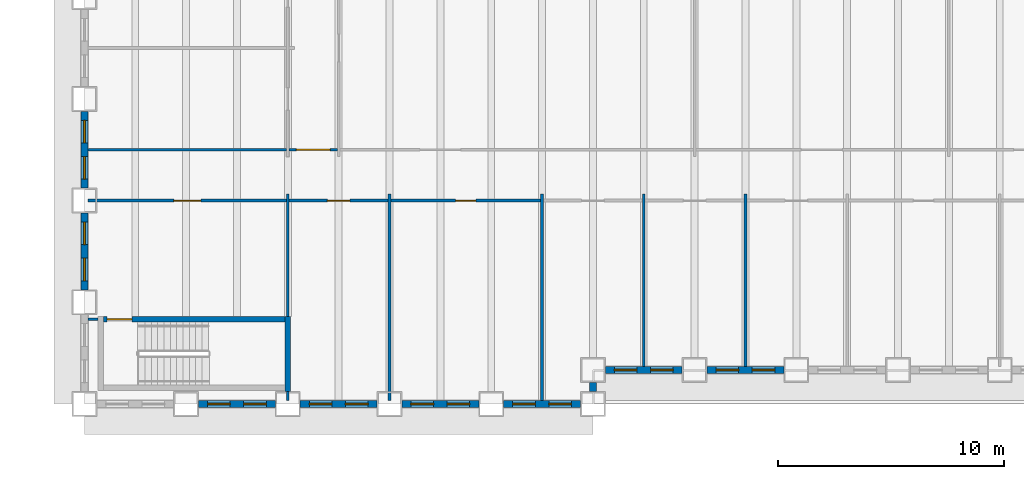
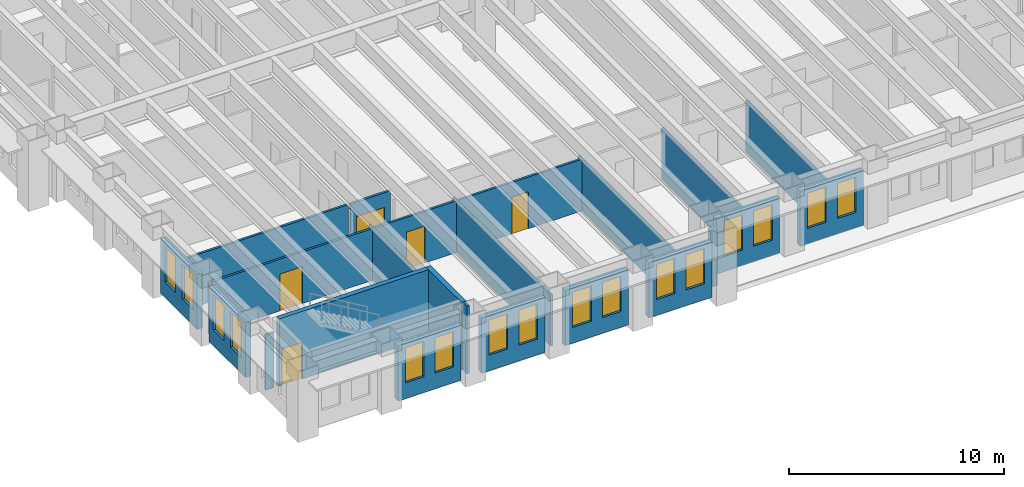
# One storey, part 3 of 18: 23 walls, 16 windows, 5 doors, 21 openings.
"""IFC4 building model written with IfcOpenShell, lengths in metres."""

from ifc_helpers import new_model, si_unit, direction, frame, frame_2d, origin, place, context, subcontext, project, spatial, rectangle, extrude, material, layer, layer_set, type_object, element, fill, save


model = new_model("IFC4")

# Units and contexts
model_context = context("Model", 3, precision=1e-05, world=origin(), true_north=direction((0.0, 1.0)))
body_context = subcontext(model_context, "Body", "Model", "MODEL_VIEW")
ifc_project = project(units=[si_unit("LENGTHUNIT", "METRE"), si_unit("AREAUNIT", "SQUARE_METRE"), si_unit("VOLUMEUNIT", "CUBIC_METRE"), si_unit("PLANEANGLEUNIT", "RADIAN"), si_unit("MASSUNIT", "GRAM", prefix="KILO")], contexts=[model_context])

# Site, building, storey
site_placement = place(None, origin())
site = spatial("IfcSite", under=ifc_project, at=site_placement, CompositionType="ELEMENT")
building_placement = place(site_placement, origin())
building = spatial("IfcBuilding", under=site, at=building_placement, Name="Sennacour Bend Tower", CompositionType="ELEMENT")
storey_placement = place(building_placement, frame((0.0, 0.0, 29.0)))
storey = spatial("IfcBuildingStorey", under=building, at=storey_placement, Name="L05", CompositionType="ELEMENT", Elevation=29.0)

# Walls
ifc_material_1 = material(Name="Plasterboard partition on steel studs", Category="steel")
ifc_layer_1 = layer(ifc_material_1, 0.1201171875, Name="Plasterboard partition on steel studs", Category="steel")
ifc_layer_set_1 = layer_set([ifc_layer_1], Name="Plasterboard partition on steel studs")
wall_type_1 = type_object("IfcWallType", Name="Partition 120", PredefinedType="PARTITIONING", material=ifc_layer_set_1)
wall_1_placement = place(storey_placement, frame((9.0, 0.14990234375, 0.0), z_axis=(0.0, 0.0, 1.0), x_axis=(0.0, 1.0, 0.0)))
element("IfcWall", 1, at=wall_1_placement, inside=storey, type_object=wall_type_1, Name="P-L05-W010a", PredefinedType="PARTITIONING", context=body_context, shape_type="SweptSolid", body=[
    extrude(rectangle(XDim=0.400146484375, YDim=0.1201171875, at=frame_2d((0.2001953125, 0.0))), origin(), (0.0, 0.0, 1.0), 3.85009765625),
])
wall_2_placement = place(storey_placement, frame((9.0, 3.875, 0.0), z_axis=(0.0, 0.0, 1.0), x_axis=(0.0, 1.0, 0.0)))
element("IfcWall", 2, at=wall_2_placement, inside=storey, type_object=wall_type_1, Name="P-L05-W012a", PredefinedType="PARTITIONING", context=body_context, shape_type="SweptSolid", body=[
    extrude(rectangle(XDim=5.425048828125, YDim=0.1201171875, at=frame_2d((2.71240234375, 0.0))), origin(), (0.0, 0.0, 1.0), 2.93798828125),
])
for number, where, z_axis, x_axis, name in (
    (3, (13.5, 0.14990234375, 0.0), (0.0, 0.0, 1.0), (0.0, 1.0, 0.0), "P-L05-W017a"),
    (4, (20.25, 0.14990234375, 0.0), (0.0, 0.0, 1.0), (0.0, 1.0, 0.0), "P-L05-W025a"),
):
    element("IfcWall", number, at=place(storey_placement, frame(where, z_axis=z_axis, x_axis=x_axis)), inside=storey, type_object=wall_type_1, Name=name, PredefinedType="PARTITIONING", context=body_context, shape_type="SweptSolid", body=[
        extrude(rectangle(XDim=9.150146484375, YDim=0.1201171875, at=frame_2d((4.5751953125, 0.0))), origin(), (0.0, 0.0, 1.0), 2.93798828125),
    ])
for number, where, z_axis, x_axis, name in (
    (5, (24.75, 1.64990234375, 0.0), (0.0, 0.0, 1.0), (0.0, 1.0, 0.0), "P-L05-W027a"),
    (6, (29.25, 1.64990234375, 0.0), (0.0, 0.0, 1.0), (0.0, 1.0, 0.0), "P-L05-W029a"),
):
    element("IfcWall", number, at=place(storey_placement, frame(where, z_axis=z_axis, x_axis=x_axis)), inside=storey, type_object=wall_type_1, Name=name, PredefinedType="PARTITIONING", context=body_context, shape_type="SweptSolid", body=[
        extrude(rectangle(XDim=7.650146484375, YDim=0.1201171875, at=frame_2d((3.8251953125, 0.0))), origin(), (0.0, 0.0, 1.0), 2.93798828125),
    ])
wall_3_placement = place(storey_placement, frame((0.14990234375, 3.75, 0.0), z_axis=(0.0, 0.0, 1.0), x_axis=(1.0, 0.0, 0.0)))
element("IfcWall", 7, at=wall_3_placement, inside=storey, type_object=wall_type_1, Name="P-L05-W054a", PredefinedType="PARTITIONING", context=body_context, shape_type="SweptSolid", body=[
    extrude(rectangle(XDim=0.4501953125, YDim=0.1201171875, at=frame_2d((0.22509765625, 0.0))), origin(), (0.0, 0.0, 1.0), 3.14404296875),
])

# Wall, opening, door
wall_4_placement = place(storey_placement, frame((9.06005859375, 9.0, 0.0), z_axis=(0.0, 0.0, 1.0), x_axis=(1.0, 0.0, 0.0)))
wall_4 = element("IfcWall", 8, at=wall_4_placement, inside=storey, type_object=wall_type_1, Name="P-L05-W061ab", PredefinedType="PARTITIONING", context=body_context, shape_type="SweptSolid", body=[
    extrude(rectangle(XDim=4.3798828125, YDim=0.1201171875, at=frame_2d((2.18994140625, 0.0))), origin(), (0.0, 0.0, 1.0), 2.93798828125),
])
opening_1_placement = place(wall_4_placement, frame((1.68994140625, 0.0, 0.0)))
opening_1 = element("IfcOpeningElement", 9, at=opening_1_placement, cuts=wall_4, Name="Opening OD2", PredefinedType="OPENING", context=body_context, shape_type="SweptSolid", body=[
    extrude(rectangle(XDim=1.0, YDim=2.10009765625, at=frame_2d((0.5, 1.050048828125))), frame((0.0, 0.070068359375, 0.0), z_axis=(0.0, -1.0, 0.0), x_axis=(1.0, 0.0, 0.0)), (0.0, 0.0, 1.0), 0.14013671875),
])
ifc_material_2 = material(Name="Timber", Category="wood")
door_type_1 = type_object("IfcDoorType", Name="DR-OFFICE-1000", OperationType="NOTDEFINED", PredefinedType="DOOR", material=ifc_material_2)
door_1_placement = place(opening_1_placement, origin())
door_1 = element("IfcDoor", 10, at=door_1_placement, inside=storey, type_object=door_type_1, Name="Door", OperationType="SINGLE_SWING_LEFT", OverallHeight=2.10009765625, OverallWidth=1.0, PredefinedType="DOOR", context=body_context, shape_type="SweptSolid", body=[
    extrude(rectangle(XDim=1.0, YDim=2.10009765625, at=frame_2d((0.5, 1.050048828125))), frame((0.0, 0.02490234375, 0.0), z_axis=(0.0, -1.0, 0.0), x_axis=(1.0, 0.0, 0.0)), (0.0, 0.0, 1.0), 0.050048828125),
])
fill(opening_1, door_1)

# Wall
wall_5_placement = place(storey_placement, frame((0.14990234375, 11.25, 0.0), z_axis=(0.0, 0.0, 1.0), x_axis=(1.0, 0.0, 0.0)))
element("IfcWall", 11, at=wall_5_placement, inside=storey, type_object=wall_type_1, Name="P-L05-W063aa", PredefinedType="PARTITIONING", context=body_context, shape_type="SweptSolid", body=[
    extrude(rectangle(XDim=8.7900390625, YDim=0.1201171875, at=frame_2d((4.39501953125, 0.0))), origin(), (0.0, 0.0, 1.0), 2.93798828125),
])

# Wall, opening, door
ifc_layer_2 = layer(ifc_material_1, 0.1201171875, Name="Plasterboard partition on steel studs", Category="steel")
ifc_layer_set_2 = layer_set([ifc_layer_2], Name="Plasterboard partition on steel studs")
wall_type_2 = type_object("IfcWallType", Name="Partition 120 EI 30", PredefinedType="PARTITIONING", material=ifc_layer_set_2)
wall_6_placement = place(storey_placement, frame((0.14990234375, 9.0, 0.0), z_axis=(0.0, 0.0, 1.0), x_axis=(1.0, 0.0, 0.0)))
wall_6 = element("IfcWall", 12, at=wall_6_placement, inside=storey, type_object=wall_type_2, Name="P-L05-W061aa", PredefinedType="PARTITIONING", context=body_context, shape_type="SweptSolid", body=[
    extrude(rectangle(XDim=8.7900390625, YDim=0.1201171875, at=frame_2d((4.39501953125, 0.0))), origin(), (0.0, 0.0, 1.0), 2.93798828125),
])
opening_2_placement = place(wall_6_placement, frame((3.80517578125, 0.0, 0.0)))
opening_2 = element("IfcOpeningElement", 13, at=opening_2_placement, cuts=wall_6, Name="Opening KD2", PredefinedType="OPENING", context=body_context, shape_type="SweptSolid", body=[
    extrude(rectangle(XDim=1.199951171875, YDim=2.10009765625, at=frame_2d((0.60009765625, 1.050048828125))), frame((0.0, 0.070068359375, 0.0), z_axis=(0.0, -1.0, 0.0), x_axis=(1.0, 0.0, 0.0)), (0.0, 0.0, 1.0), 0.14013671875),
])
ifc_material_3 = material(Name="Painted steel", Category="steel")
door_type_2 = type_object("IfcDoorType", Name="DR-CORRIDOR-1200", OperationType="NOTDEFINED", PredefinedType="DOOR", material=ifc_material_3)
door_2_placement = place(opening_2_placement, origin())
door_2 = element("IfcDoor", 14, at=door_2_placement, inside=storey, type_object=door_type_2, Name="Door", OperationType="SINGLE_SWING_LEFT", OverallHeight=2.10009765625, OverallWidth=1.199951171875, PredefinedType="DOOR", context=body_context, shape_type="SweptSolid", body=[
    extrude(rectangle(XDim=1.199951171875, YDim=2.10009765625, at=frame_2d((0.60009765625, 1.050048828125))), frame((0.0, 0.02490234375, 0.0), z_axis=(0.0, -1.0, 0.0), x_axis=(1.0, 0.0, 0.0)), (0.0, 0.0, 1.0), 0.050048828125),
])
fill(opening_2, door_2)

wall_7_placement = place(storey_placement, frame((9.06005859375, 11.25, 0.0), z_axis=(0.0, 0.0, 1.0), x_axis=(1.0, 0.0, 0.0)))
wall_7 = element("IfcWall", 15, at=wall_7_placement, inside=storey, type_object=wall_type_2, Name="P-L05-W063ab", PredefinedType="PARTITIONING", context=body_context, shape_type="SweptSolid", body=[
    extrude(rectangle(XDim=2.1298828125, YDim=0.1201171875, at=frame_2d((1.06494140625, 0.0))), origin(), (0.0, 0.0, 1.0), 2.93798828125),
])
opening_3_placement = place(wall_7_placement, frame((0.31494140625, 0.0, 0.0)))
opening_3 = element("IfcOpeningElement", 16, at=opening_3_placement, cuts=wall_7, Name="Opening KD", PredefinedType="OPENING", context=body_context, shape_type="SweptSolid", body=[
    extrude(rectangle(XDim=1.5, YDim=2.10009765625, at=frame_2d((0.75, 1.050048828125))), frame((0.0, 0.070068359375, 0.0), z_axis=(0.0, -1.0, 0.0), x_axis=(1.0, 0.0, 0.0)), (0.0, 0.0, 1.0), 0.14013671875),
])
door_type_3 = type_object("IfcDoorType", Name="DR-CORRIDOR-1500", OperationType="NOTDEFINED", PredefinedType="DOOR", material=ifc_material_3)
door_3_placement = place(opening_3_placement, origin())
door_3 = element("IfcDoor", 17, at=door_3_placement, inside=storey, type_object=door_type_3, Name="Door", OperationType="SINGLE_SWING_LEFT", OverallHeight=2.10009765625, OverallWidth=1.5, PredefinedType="DOOR", context=body_context, shape_type="SweptSolid", body=[
    extrude(rectangle(XDim=1.5, YDim=2.10009765625, at=frame_2d((0.75, 1.050048828125))), frame((0.0, 0.02490234375, 0.0), z_axis=(0.0, -1.0, 0.0), x_axis=(1.0, 0.0, 0.0)), (0.0, 0.0, 1.0), 0.050048828125),
])
fill(opening_3, door_3)

ifc_layer_3 = layer(ifc_material_1, 0.1201171875, Name="Plasterboard partition on steel studs", Category="steel")
ifc_layer_set_3 = layer_set([ifc_layer_3], Name="Plasterboard partition on steel studs")
wall_type_3 = type_object("IfcWallType", Name="Partition 120 EI 60", PredefinedType="PARTITIONING", material=ifc_layer_set_3)
wall_8_placement = place(storey_placement, frame((13.56005859375, 9.0, 0.0), z_axis=(0.0, 0.0, 1.0), x_axis=(1.0, 0.0, 0.0)))
wall_8 = element("IfcWall", 18, at=wall_8_placement, inside=storey, type_object=wall_type_3, Name="P-L05-W061ac", PredefinedType="PARTITIONING", context=body_context, shape_type="SweptSolid", body=[
    extrude(rectangle(XDim=6.6298828125, YDim=0.1201171875, at=frame_2d((3.31494140625, 0.0))), origin(), (0.0, 0.0, 1.0), 2.93798828125),
])
opening_4_placement = place(wall_8_placement, frame((2.864990234375, 0.0, 0.0)))
opening_4 = element("IfcOpeningElement", 19, at=opening_4_placement, cuts=wall_8, Name="Opening SV", PredefinedType="OPENING", context=body_context, shape_type="SweptSolid", body=[
    extrude(rectangle(XDim=0.89990234375, YDim=2.10009765625, at=frame_2d((0.449951171875, 1.050048828125))), frame((0.0, 0.070068359375, 0.0), z_axis=(0.0, -1.0, 0.0), x_axis=(1.0, 0.0, 0.0)), (0.0, 0.0, 1.0), 0.14013671875),
])
door_type_4 = type_object("IfcDoorType", Name="DR-SERVICE-900", OperationType="NOTDEFINED", PredefinedType="DOOR", material=ifc_material_3)
door_4_placement = place(opening_4_placement, origin())
door_4 = element("IfcDoor", 20, at=door_4_placement, inside=storey, type_object=door_type_4, Name="Door", OperationType="SINGLE_SWING_LEFT", OverallHeight=2.10009765625, OverallWidth=0.89990234375, PredefinedType="DOOR", context=body_context, shape_type="SweptSolid", body=[
    extrude(rectangle(XDim=0.89990234375, YDim=2.10009765625, at=frame_2d((0.449951171875, 1.050048828125))), frame((0.0, 0.02490234375, 0.0), z_axis=(0.0, -1.0, 0.0), x_axis=(1.0, 0.0, 0.0)), (0.0, 0.0, 1.0), 0.050048828125),
])
fill(opening_4, door_4)

# Wall, openings, windows
ifc_material_4 = material(Name="Warm limestone cladding", Category="masonry")
ifc_layer_4 = layer(ifc_material_4, 0.050048828125, Name="Warm limestone cladding", Category="masonry")
ifc_material_5 = material(Name="Precast concrete C40/50", Category="concrete")
ifc_layer_5 = layer(ifc_material_5, 0.25, Name="Precast concrete C40/50", Category="concrete")
ifc_layer_set_4 = layer_set([ifc_layer_4, ifc_layer_5], Name="Precast concrete C40/50 with limestone cladding")
wall_type_4 = type_object("IfcWallType", Name="STONE-CLAD PRECAST SPANDREL 300", PredefinedType="STANDARD", material=ifc_layer_set_4)
wall_9_placement = place(storey_placement, frame((5.050048828125, 0.0, 0.0), z_axis=(0.0, 0.0, 1.0), x_axis=(1.0, 0.0, 0.0)))
wall_9 = element("IfcWall", 21, at=wall_9_placement, inside=storey, type_object=wall_type_4, Name="Stone spandrel and pier wall L05 00.01", PredefinedType="STANDARD", context=body_context, shape_type="SweptSolid", body=[
    extrude(rectangle(XDim=3.39990234375, YDim=0.300048828125, at=frame_2d((1.699951171875, 0.0))), origin(), (0.0, 0.0, 1.0), 3.14404296875),
])
opening_5_placement = place(wall_9_placement, frame((0.39990234375, 0.0, 0.89990234375)))
opening_5 = element("IfcOpeningElement", 22, at=opening_5_placement, cuts=wall_9, Name="Opening W8", PredefinedType="OPENING", context=body_context, shape_type="SweptSolid", body=[
    extrude(rectangle(XDim=1.0, YDim=2.0, at=frame_2d((0.5, 1.0))), frame((0.0, 0.16015625, 0.0), z_axis=(0.0, -1.0, 0.0), x_axis=(1.0, 0.0, 0.0)), (0.0, 0.0, 1.0), 0.320068359375),
])
opening_6_placement = place(wall_9_placement, frame((2.0, 0.0, 0.89990234375)))
opening_6 = element("IfcOpeningElement", 23, at=opening_6_placement, cuts=wall_9, Name="Opening W8", PredefinedType="OPENING", context=body_context, shape_type="SweptSolid", body=[
    extrude(rectangle(XDim=1.0, YDim=2.0, at=frame_2d((0.5, 1.0))), frame((0.0, 0.16015625, 0.0), z_axis=(0.0, -1.0, 0.0), x_axis=(1.0, 0.0, 0.0)), (0.0, 0.0, 1.0), 0.320068359375),
])
ifc_material_6 = material(Name="Clear low-emissivity glass", Category="glass")
window_type = type_object("IfcWindowType", Name="WIN-RIBBON-1000x2000", PartitioningType="SINGLE_PANEL", PredefinedType="WINDOW", material=ifc_material_6)
window_1_placement = place(opening_5_placement, origin())
window_1 = element("IfcWindow", 24, at=window_1_placement, inside=storey, type_object=window_type, Name="Ribbon window L05 00.01.0", OverallHeight=2.0, OverallWidth=1.0, PartitioningType="SINGLE_PANEL", PredefinedType="WINDOW", context=body_context, shape_type="SweptSolid", body=[
    extrude(rectangle(XDim=1.0, YDim=2.0, at=frame_2d((0.5, 1.0))), frame((0.0, 0.030029296875, 0.0), z_axis=(0.0, -1.0, 0.0), x_axis=(1.0, 0.0, 0.0)), (0.0, 0.0, 1.0), 0.06005859375),
])
fill(opening_5, window_1)
window_2_placement = place(opening_6_placement, origin())
window_2 = element("IfcWindow", 25, at=window_2_placement, inside=storey, type_object=window_type, Name="Ribbon window L05 00.01.1", OverallHeight=2.0, OverallWidth=1.0, PartitioningType="SINGLE_PANEL", PredefinedType="WINDOW", context=body_context, shape_type="SweptSolid", body=[
    extrude(rectangle(XDim=1.0, YDim=2.0, at=frame_2d((0.5, 1.0))), frame((0.0, 0.030029296875, 0.0), z_axis=(0.0, -1.0, 0.0), x_axis=(1.0, 0.0, 0.0)), (0.0, 0.0, 1.0), 0.06005859375),
])
fill(opening_6, window_2)

wall_10_placement = place(storey_placement, frame((9.550048828125, 0.0, 0.0), z_axis=(0.0, 0.0, 1.0), x_axis=(1.0, 0.0, 0.0)))
wall_10 = element("IfcWall", 26, at=wall_10_placement, inside=storey, type_object=wall_type_4, Name="Stone spandrel and pier wall L05 00.02", PredefinedType="STANDARD", context=body_context, shape_type="SweptSolid", body=[
    extrude(rectangle(XDim=3.39990234375, YDim=0.300048828125, at=frame_2d((1.699951171875, 0.0))), origin(), (0.0, 0.0, 1.0), 3.14404296875),
])
opening_7_placement = place(wall_10_placement, frame((0.39990234375, 0.0, 0.89990234375)))
opening_7 = element("IfcOpeningElement", 27, at=opening_7_placement, cuts=wall_10, Name="Opening W8", PredefinedType="OPENING", context=body_context, shape_type="SweptSolid", body=[
    extrude(rectangle(XDim=1.0, YDim=2.0, at=frame_2d((0.5, 1.0))), frame((0.0, 0.16015625, 0.0), z_axis=(0.0, -1.0, 0.0), x_axis=(1.0, 0.0, 0.0)), (0.0, 0.0, 1.0), 0.320068359375),
])
opening_8_placement = place(wall_10_placement, frame((2.0, 0.0, 0.89990234375)))
opening_8 = element("IfcOpeningElement", 28, at=opening_8_placement, cuts=wall_10, Name="Opening W8", PredefinedType="OPENING", context=body_context, shape_type="SweptSolid", body=[
    extrude(rectangle(XDim=1.0, YDim=2.0, at=frame_2d((0.5, 1.0))), frame((0.0, 0.16015625, 0.0), z_axis=(0.0, -1.0, 0.0), x_axis=(1.0, 0.0, 0.0)), (0.0, 0.0, 1.0), 0.320068359375),
])
window_3_placement = place(opening_7_placement, origin())
window_3 = element("IfcWindow", 29, at=window_3_placement, inside=storey, type_object=window_type, Name="Ribbon window L05 00.02.0", OverallHeight=2.0, OverallWidth=1.0, PartitioningType="SINGLE_PANEL", PredefinedType="WINDOW", context=body_context, shape_type="SweptSolid", body=[
    extrude(rectangle(XDim=1.0, YDim=2.0, at=frame_2d((0.5, 1.0))), frame((0.0, 0.030029296875, 0.0), z_axis=(0.0, -1.0, 0.0), x_axis=(1.0, 0.0, 0.0)), (0.0, 0.0, 1.0), 0.06005859375),
])
fill(opening_7, window_3)
window_4_placement = place(opening_8_placement, origin())
window_4 = element("IfcWindow", 30, at=window_4_placement, inside=storey, type_object=window_type, Name="Ribbon window L05 00.02.1", OverallHeight=2.0, OverallWidth=1.0, PartitioningType="SINGLE_PANEL", PredefinedType="WINDOW", context=body_context, shape_type="SweptSolid", body=[
    extrude(rectangle(XDim=1.0, YDim=2.0, at=frame_2d((0.5, 1.0))), frame((0.0, 0.030029296875, 0.0), z_axis=(0.0, -1.0, 0.0), x_axis=(1.0, 0.0, 0.0)), (0.0, 0.0, 1.0), 0.06005859375),
])
fill(opening_8, window_4)

wall_11_placement = place(storey_placement, frame((14.050048828125, 0.0, 0.0), z_axis=(0.0, 0.0, 1.0), x_axis=(1.0, 0.0, 0.0)))
wall_11 = element("IfcWall", 31, at=wall_11_placement, inside=storey, type_object=wall_type_4, Name="Stone spandrel and pier wall L05 00.03", PredefinedType="STANDARD", context=body_context, shape_type="SweptSolid", body=[
    extrude(rectangle(XDim=3.39990234375, YDim=0.300048828125, at=frame_2d((1.699951171875, 0.0))), origin(), (0.0, 0.0, 1.0), 3.14404296875),
])
opening_9_placement = place(wall_11_placement, frame((0.39990234375, 0.0, 0.89990234375)))
opening_9 = element("IfcOpeningElement", 32, at=opening_9_placement, cuts=wall_11, Name="Opening W8", PredefinedType="OPENING", context=body_context, shape_type="SweptSolid", body=[
    extrude(rectangle(XDim=1.0, YDim=2.0, at=frame_2d((0.5, 1.0))), frame((0.0, 0.16015625, 0.0), z_axis=(0.0, -1.0, 0.0), x_axis=(1.0, 0.0, 0.0)), (0.0, 0.0, 1.0), 0.320068359375),
])
opening_10_placement = place(wall_11_placement, frame((2.0, 0.0, 0.89990234375)))
opening_10 = element("IfcOpeningElement", 33, at=opening_10_placement, cuts=wall_11, Name="Opening W8", PredefinedType="OPENING", context=body_context, shape_type="SweptSolid", body=[
    extrude(rectangle(XDim=1.0, YDim=2.0, at=frame_2d((0.5, 1.0))), frame((0.0, 0.16015625, 0.0), z_axis=(0.0, -1.0, 0.0), x_axis=(1.0, 0.0, 0.0)), (0.0, 0.0, 1.0), 0.320068359375),
])
window_5_placement = place(opening_9_placement, origin())
window_5 = element("IfcWindow", 34, at=window_5_placement, inside=storey, type_object=window_type, Name="Ribbon window L05 00.03.0", OverallHeight=2.0, OverallWidth=1.0, PartitioningType="SINGLE_PANEL", PredefinedType="WINDOW", context=body_context, shape_type="SweptSolid", body=[
    extrude(rectangle(XDim=1.0, YDim=2.0, at=frame_2d((0.5, 1.0))), frame((0.0, 0.030029296875, 0.0), z_axis=(0.0, -1.0, 0.0), x_axis=(1.0, 0.0, 0.0)), (0.0, 0.0, 1.0), 0.06005859375),
])
fill(opening_9, window_5)
window_6_placement = place(opening_10_placement, origin())
window_6 = element("IfcWindow", 35, at=window_6_placement, inside=storey, type_object=window_type, Name="Ribbon window L05 00.03.1", OverallHeight=2.0, OverallWidth=1.0, PartitioningType="SINGLE_PANEL", PredefinedType="WINDOW", context=body_context, shape_type="SweptSolid", body=[
    extrude(rectangle(XDim=1.0, YDim=2.0, at=frame_2d((0.5, 1.0))), frame((0.0, 0.030029296875, 0.0), z_axis=(0.0, -1.0, 0.0), x_axis=(1.0, 0.0, 0.0)), (0.0, 0.0, 1.0), 0.06005859375),
])
fill(opening_10, window_6)

wall_12_placement = place(storey_placement, frame((18.550048828125, 0.0, 0.0), z_axis=(0.0, 0.0, 1.0), x_axis=(1.0, 0.0, 0.0)))
wall_12 = element("IfcWall", 36, at=wall_12_placement, inside=storey, type_object=wall_type_4, Name="Stone spandrel and pier wall L05 00.04", PredefinedType="STANDARD", context=body_context, shape_type="SweptSolid", body=[
    extrude(rectangle(XDim=3.39990234375, YDim=0.300048828125, at=frame_2d((1.699951171875, 0.0))), origin(), (0.0, 0.0, 1.0), 3.14404296875),
])
opening_11_placement = place(wall_12_placement, frame((0.39990234375, 0.0, 0.89990234375)))
opening_11 = element("IfcOpeningElement", 37, at=opening_11_placement, cuts=wall_12, Name="Opening W8", PredefinedType="OPENING", context=body_context, shape_type="SweptSolid", body=[
    extrude(rectangle(XDim=1.0, YDim=2.0, at=frame_2d((0.5, 1.0))), frame((0.0, 0.16015625, 0.0), z_axis=(0.0, -1.0, 0.0), x_axis=(1.0, 0.0, 0.0)), (0.0, 0.0, 1.0), 0.320068359375),
])
opening_12_placement = place(wall_12_placement, frame((2.0, 0.0, 0.89990234375)))
opening_12 = element("IfcOpeningElement", 38, at=opening_12_placement, cuts=wall_12, Name="Opening W8", PredefinedType="OPENING", context=body_context, shape_type="SweptSolid", body=[
    extrude(rectangle(XDim=1.0, YDim=2.0, at=frame_2d((0.5, 1.0))), frame((0.0, 0.16015625, 0.0), z_axis=(0.0, -1.0, 0.0), x_axis=(1.0, 0.0, 0.0)), (0.0, 0.0, 1.0), 0.320068359375),
])
window_7_placement = place(opening_11_placement, origin())
window_7 = element("IfcWindow", 39, at=window_7_placement, inside=storey, type_object=window_type, Name="Ribbon window L05 00.04.0", OverallHeight=2.0, OverallWidth=1.0, PartitioningType="SINGLE_PANEL", PredefinedType="WINDOW", context=body_context, shape_type="SweptSolid", body=[
    extrude(rectangle(XDim=1.0, YDim=2.0, at=frame_2d((0.5, 1.0))), frame((0.0, 0.030029296875, 0.0), z_axis=(0.0, -1.0, 0.0), x_axis=(1.0, 0.0, 0.0)), (0.0, 0.0, 1.0), 0.06005859375),
])
fill(opening_11, window_7)
window_8_placement = place(opening_12_placement, origin())
window_8 = element("IfcWindow", 40, at=window_8_placement, inside=storey, type_object=window_type, Name="Ribbon window L05 00.04.1", OverallHeight=2.0, OverallWidth=1.0, PartitioningType="SINGLE_PANEL", PredefinedType="WINDOW", context=body_context, shape_type="SweptSolid", body=[
    extrude(rectangle(XDim=1.0, YDim=2.0, at=frame_2d((0.5, 1.0))), frame((0.0, 0.030029296875, 0.0), z_axis=(0.0, -1.0, 0.0), x_axis=(1.0, 0.0, 0.0)), (0.0, 0.0, 1.0), 0.06005859375),
])
fill(opening_12, window_8)

# Wall
wall_13_placement = place(storey_placement, frame((22.5, 0.550048828125, 0.0), z_axis=(0.0, 0.0, 1.0), x_axis=(0.0, 1.0, 0.0)))
element("IfcWall", 41, at=wall_13_placement, inside=storey, type_object=wall_type_4, Name="Stone spandrel and pier wall L05 01.00", PredefinedType="STANDARD", context=body_context, shape_type="SweptSolid", body=[
    extrude(rectangle(XDim=0.39990234375, YDim=0.300048828125, at=frame_2d((0.199951171875, 0.0))), origin(), (0.0, 0.0, 1.0), 3.14404296875),
])

# Wall, openings, windows
wall_14_placement = place(storey_placement, frame((23.050048828125, 1.5, 0.0), z_axis=(0.0, 0.0, 1.0), x_axis=(1.0, 0.0, 0.0)))
wall_14 = element("IfcWall", 42, at=wall_14_placement, inside=storey, type_object=wall_type_4, Name="Stone spandrel and pier wall L05 02.00", PredefinedType="STANDARD", context=body_context, shape_type="SweptSolid", body=[
    extrude(rectangle(XDim=3.39990234375, YDim=0.300048828125, at=frame_2d((1.699951171875, 0.0))), origin(), (0.0, 0.0, 1.0), 3.14404296875),
])
opening_13_placement = place(wall_14_placement, frame((0.39990234375, 0.0, 0.89990234375)))
opening_13 = element("IfcOpeningElement", 43, at=opening_13_placement, cuts=wall_14, Name="Opening W8", PredefinedType="OPENING", context=body_context, shape_type="SweptSolid", body=[
    extrude(rectangle(XDim=1.0, YDim=2.0, at=frame_2d((0.5, 1.0))), frame((0.0, 0.16015625, 0.0), z_axis=(0.0, -1.0, 0.0), x_axis=(1.0, 0.0, 0.0)), (0.0, 0.0, 1.0), 0.320068359375),
])
opening_14_placement = place(wall_14_placement, frame((2.0, 0.0, 0.89990234375)))
opening_14 = element("IfcOpeningElement", 44, at=opening_14_placement, cuts=wall_14, Name="Opening W8", PredefinedType="OPENING", context=body_context, shape_type="SweptSolid", body=[
    extrude(rectangle(XDim=1.0, YDim=2.0, at=frame_2d((0.5, 1.0))), frame((0.0, 0.16015625, 0.0), z_axis=(0.0, -1.0, 0.0), x_axis=(1.0, 0.0, 0.0)), (0.0, 0.0, 1.0), 0.320068359375),
])
window_9_placement = place(opening_13_placement, origin())
window_9 = element("IfcWindow", 45, at=window_9_placement, inside=storey, type_object=window_type, Name="Ribbon window L05 02.00.0", OverallHeight=2.0, OverallWidth=1.0, PartitioningType="SINGLE_PANEL", PredefinedType="WINDOW", context=body_context, shape_type="SweptSolid", body=[
    extrude(rectangle(XDim=1.0, YDim=2.0, at=frame_2d((0.5, 1.0))), frame((0.0, 0.030029296875, 0.0), z_axis=(0.0, -1.0, 0.0), x_axis=(1.0, 0.0, 0.0)), (0.0, 0.0, 1.0), 0.06005859375),
])
fill(opening_13, window_9)
window_10_placement = place(opening_14_placement, origin())
window_10 = element("IfcWindow", 46, at=window_10_placement, inside=storey, type_object=window_type, Name="Ribbon window L05 02.00.1", OverallHeight=2.0, OverallWidth=1.0, PartitioningType="SINGLE_PANEL", PredefinedType="WINDOW", context=body_context, shape_type="SweptSolid", body=[
    extrude(rectangle(XDim=1.0, YDim=2.0, at=frame_2d((0.5, 1.0))), frame((0.0, 0.030029296875, 0.0), z_axis=(0.0, -1.0, 0.0), x_axis=(1.0, 0.0, 0.0)), (0.0, 0.0, 1.0), 0.06005859375),
])
fill(opening_14, window_10)

wall_15_placement = place(storey_placement, frame((27.550048828125, 1.5, 0.0), z_axis=(0.0, 0.0, 1.0), x_axis=(1.0, 0.0, 0.0)))
wall_15 = element("IfcWall", 47, at=wall_15_placement, inside=storey, type_object=wall_type_4, Name="Stone spandrel and pier wall L05 02.01", PredefinedType="STANDARD", context=body_context, shape_type="SweptSolid", body=[
    extrude(rectangle(XDim=3.39990234375, YDim=0.300048828125, at=frame_2d((1.699951171875, 0.0))), origin(), (0.0, 0.0, 1.0), 3.14404296875),
])
opening_15_placement = place(wall_15_placement, frame((0.39990234375, 0.0, 0.89990234375)))
opening_15 = element("IfcOpeningElement", 48, at=opening_15_placement, cuts=wall_15, Name="Opening W8", PredefinedType="OPENING", context=body_context, shape_type="SweptSolid", body=[
    extrude(rectangle(XDim=1.0, YDim=2.0, at=frame_2d((0.5, 1.0))), frame((0.0, 0.16015625, 0.0), z_axis=(0.0, -1.0, 0.0), x_axis=(1.0, 0.0, 0.0)), (0.0, 0.0, 1.0), 0.320068359375),
])
opening_16_placement = place(wall_15_placement, frame((2.0, 0.0, 0.89990234375)))
opening_16 = element("IfcOpeningElement", 49, at=opening_16_placement, cuts=wall_15, Name="Opening W8", PredefinedType="OPENING", context=body_context, shape_type="SweptSolid", body=[
    extrude(rectangle(XDim=1.0, YDim=2.0, at=frame_2d((0.5, 1.0))), frame((0.0, 0.16015625, 0.0), z_axis=(0.0, -1.0, 0.0), x_axis=(1.0, 0.0, 0.0)), (0.0, 0.0, 1.0), 0.320068359375),
])
window_11_placement = place(opening_15_placement, origin())
window_11 = element("IfcWindow", 50, at=window_11_placement, inside=storey, type_object=window_type, Name="Ribbon window L05 02.01.0", OverallHeight=2.0, OverallWidth=1.0, PartitioningType="SINGLE_PANEL", PredefinedType="WINDOW", context=body_context, shape_type="SweptSolid", body=[
    extrude(rectangle(XDim=1.0, YDim=2.0, at=frame_2d((0.5, 1.0))), frame((0.0, 0.030029296875, 0.0), z_axis=(0.0, -1.0, 0.0), x_axis=(1.0, 0.0, 0.0)), (0.0, 0.0, 1.0), 0.06005859375),
])
fill(opening_15, window_11)
window_12_placement = place(opening_16_placement, origin())
window_12 = element("IfcWindow", 51, at=window_12_placement, inside=storey, type_object=window_type, Name="Ribbon window L05 02.01.1", OverallHeight=2.0, OverallWidth=1.0, PartitioningType="SINGLE_PANEL", PredefinedType="WINDOW", context=body_context, shape_type="SweptSolid", body=[
    extrude(rectangle(XDim=1.0, YDim=2.0, at=frame_2d((0.5, 1.0))), frame((0.0, 0.030029296875, 0.0), z_axis=(0.0, -1.0, 0.0), x_axis=(1.0, 0.0, 0.0)), (0.0, 0.0, 1.0), 0.06005859375),
])
fill(opening_16, window_12)

wall_16_placement = place(storey_placement, frame((0.0, 12.949951171875, 0.0), z_axis=(0.0, 0.0, 1.0), x_axis=(0.0, -1.0, 0.0)))
wall_16 = element("IfcWall", 52, at=wall_16_placement, inside=storey, type_object=wall_type_4, Name="Stone spandrel and pier wall L05 23.02", PredefinedType="STANDARD", context=body_context, shape_type="SweptSolid", body=[
    extrude(rectangle(XDim=3.39990234375, YDim=0.300048828125, at=frame_2d((1.699951171875, 0.0))), origin(), (0.0, 0.0, 1.0), 3.14404296875),
])
opening_17_placement = place(wall_16_placement, frame((0.39990234375, 0.0, 0.89990234375)))
opening_17 = element("IfcOpeningElement", 53, at=opening_17_placement, cuts=wall_16, Name="Opening W8", PredefinedType="OPENING", context=body_context, shape_type="SweptSolid", body=[
    extrude(rectangle(XDim=1.0, YDim=2.0, at=frame_2d((0.5, 1.0))), frame((0.0, 0.16015625, 0.0), z_axis=(0.0, -1.0, 0.0), x_axis=(1.0, 0.0, 0.0)), (0.0, 0.0, 1.0), 0.320068359375),
])
opening_18_placement = place(wall_16_placement, frame((2.0, 0.0, 0.89990234375)))
opening_18 = element("IfcOpeningElement", 54, at=opening_18_placement, cuts=wall_16, Name="Opening W8", PredefinedType="OPENING", context=body_context, shape_type="SweptSolid", body=[
    extrude(rectangle(XDim=1.0, YDim=2.0, at=frame_2d((0.5, 1.0))), frame((0.0, 0.16015625, 0.0), z_axis=(0.0, -1.0, 0.0), x_axis=(1.0, 0.0, 0.0)), (0.0, 0.0, 1.0), 0.320068359375),
])
window_13_placement = place(opening_17_placement, origin())
window_13 = element("IfcWindow", 55, at=window_13_placement, inside=storey, type_object=window_type, Name="Ribbon window L05 23.02.0", OverallHeight=2.0, OverallWidth=1.0, PartitioningType="SINGLE_PANEL", PredefinedType="WINDOW", context=body_context, shape_type="SweptSolid", body=[
    extrude(rectangle(XDim=1.0, YDim=2.0, at=frame_2d((0.5, 1.0))), frame((0.0, 0.030029296875, 0.0), z_axis=(0.0, -1.0, 0.0), x_axis=(1.0, 0.0, 0.0)), (0.0, 0.0, 1.0), 0.06005859375),
])
fill(opening_17, window_13)
window_14_placement = place(opening_18_placement, origin())
window_14 = element("IfcWindow", 56, at=window_14_placement, inside=storey, type_object=window_type, Name="Ribbon window L05 23.02.1", OverallHeight=2.0, OverallWidth=1.0, PartitioningType="SINGLE_PANEL", PredefinedType="WINDOW", context=body_context, shape_type="SweptSolid", body=[
    extrude(rectangle(XDim=1.0, YDim=2.0, at=frame_2d((0.5, 1.0))), frame((0.0, 0.030029296875, 0.0), z_axis=(0.0, -1.0, 0.0), x_axis=(1.0, 0.0, 0.0)), (0.0, 0.0, 1.0), 0.06005859375),
])
fill(opening_18, window_14)

wall_17_placement = place(storey_placement, frame((0.0, 8.449951171875, 0.0), z_axis=(0.0, 0.0, 1.0), x_axis=(0.0, -1.0, 0.0)))
wall_17 = element("IfcWall", 57, at=wall_17_placement, inside=storey, type_object=wall_type_4, Name="Stone spandrel and pier wall L05 23.03", PredefinedType="STANDARD", context=body_context, shape_type="SweptSolid", body=[
    extrude(rectangle(XDim=3.39990234375, YDim=0.300048828125, at=frame_2d((1.699951171875, 0.0))), origin(), (0.0, 0.0, 1.0), 3.14404296875),
])
opening_19_placement = place(wall_17_placement, frame((0.39990234375, 0.0, 0.89990234375)))
opening_19 = element("IfcOpeningElement", 58, at=opening_19_placement, cuts=wall_17, Name="Opening W8", PredefinedType="OPENING", context=body_context, shape_type="SweptSolid", body=[
    extrude(rectangle(XDim=1.0, YDim=2.0, at=frame_2d((0.5, 1.0))), frame((0.0, 0.16015625, 0.0), z_axis=(0.0, -1.0, 0.0), x_axis=(1.0, 0.0, 0.0)), (0.0, 0.0, 1.0), 0.320068359375),
])
opening_20_placement = place(wall_17_placement, frame((2.0, 0.0, 0.89990234375)))
opening_20 = element("IfcOpeningElement", 59, at=opening_20_placement, cuts=wall_17, Name="Opening W8", PredefinedType="OPENING", context=body_context, shape_type="SweptSolid", body=[
    extrude(rectangle(XDim=1.0, YDim=2.0, at=frame_2d((0.5, 1.0))), frame((0.0, 0.16015625, 0.0), z_axis=(0.0, -1.0, 0.0), x_axis=(1.0, 0.0, 0.0)), (0.0, 0.0, 1.0), 0.320068359375),
])
window_15_placement = place(opening_19_placement, origin())
window_15 = element("IfcWindow", 60, at=window_15_placement, inside=storey, type_object=window_type, Name="Ribbon window L05 23.03.0", OverallHeight=2.0, OverallWidth=1.0, PartitioningType="SINGLE_PANEL", PredefinedType="WINDOW", context=body_context, shape_type="SweptSolid", body=[
    extrude(rectangle(XDim=1.0, YDim=2.0, at=frame_2d((0.5, 1.0))), frame((0.0, 0.030029296875, 0.0), z_axis=(0.0, -1.0, 0.0), x_axis=(1.0, 0.0, 0.0)), (0.0, 0.0, 1.0), 0.06005859375),
])
fill(opening_19, window_15)
window_16_placement = place(opening_20_placement, origin())
window_16 = element("IfcWindow", 61, at=window_16_placement, inside=storey, type_object=window_type, Name="Ribbon window L05 23.03.1", OverallHeight=2.0, OverallWidth=1.0, PartitioningType="SINGLE_PANEL", PredefinedType="WINDOW", context=body_context, shape_type="SweptSolid", body=[
    extrude(rectangle(XDim=1.0, YDim=2.0, at=frame_2d((0.5, 1.0))), frame((0.0, 0.030029296875, 0.0), z_axis=(0.0, -1.0, 0.0), x_axis=(1.0, 0.0, 0.0)), (0.0, 0.0, 1.0), 0.06005859375),
])
fill(opening_20, window_16)

# Wall
ifc_material_7 = material(Name="Concrete C60/75", Category="concrete")
ifc_layer_6 = layer(ifc_material_7, 0.25, Name="Concrete C60/75", Category="concrete")
ifc_layer_set_5 = layer_set([ifc_layer_6], Name="Concrete C60/75")
wall_type_5 = type_object("IfcWallType", Name="Stair wall 250", PredefinedType="SHEAR", material=ifc_layer_set_5)
wall_18_placement = place(storey_placement, frame((9.0, 0.550048828125, 0.0), z_axis=(0.0, 0.0, 1.0), x_axis=(0.0, 1.0, 0.0)))
element("IfcWall", 62, at=wall_18_placement, inside=storey, type_object=wall_type_5, Name="P-L05-W011", PredefinedType="SHEAR", context=body_context, shape_type="SweptSolid", body=[
    extrude(rectangle(XDim=3.324951171875, YDim=0.25, at=frame_2d((1.66259765625, 0.0))), origin(), (0.0, 0.0, 1.0), 3.85009765625),
])

# Wall, opening, door
wall_19_placement = place(storey_placement, frame((0.85009765625, 3.75, 0.0), z_axis=(0.0, 0.0, 1.0), x_axis=(1.0, 0.0, 0.0)))
wall_19 = element("IfcWall", 63, at=wall_19_placement, inside=storey, type_object=wall_type_5, Name="P-L05-W055", PredefinedType="SHEAR", context=body_context, shape_type="SweptSolid", body=[
    extrude(rectangle(XDim=8.02490234375, YDim=0.25, at=frame_2d((4.012451171875, 0.0))), origin(), (0.0, 0.0, 1.0), 3.85009765625),
])
opening_21_placement = place(wall_19_placement, frame((0.14990234375, 0.0, 0.0)))
opening_21 = element("IfcOpeningElement", 64, at=opening_21_placement, cuts=wall_19, Name="Opening SD", PredefinedType="OPENING", context=body_context, shape_type="SweptSolid", body=[
    extrude(rectangle(XDim=1.10009765625, YDim=2.10009765625, at=frame_2d((0.550048828125, 1.050048828125))), frame((0.0, 0.135009765625, 0.0), z_axis=(0.0, -1.0, 0.0), x_axis=(1.0, 0.0, 0.0)), (0.0, 0.0, 1.0), 0.27001953125),
])
door_type_5 = type_object("IfcDoorType", Name="DR-STAIR-1100", OperationType="NOTDEFINED", PredefinedType="DOOR", material=ifc_material_3)
door_5_placement = place(opening_21_placement, origin())
door_5 = element("IfcDoor", 65, at=door_5_placement, inside=storey, type_object=door_type_5, Name="Door", OperationType="SINGLE_SWING_LEFT", OverallHeight=2.10009765625, OverallWidth=1.10009765625, PredefinedType="DOOR", context=body_context, shape_type="SweptSolid", body=[
    extrude(rectangle(XDim=1.10009765625, YDim=2.10009765625, at=frame_2d((0.550048828125, 1.050048828125))), frame((0.0, 0.02490234375, 0.0), z_axis=(0.0, -1.0, 0.0), x_axis=(1.0, 0.0, 0.0)), (0.0, 0.0, 1.0), 0.050048828125),
])
fill(opening_21, door_5)

save(model, "model.ifc")
